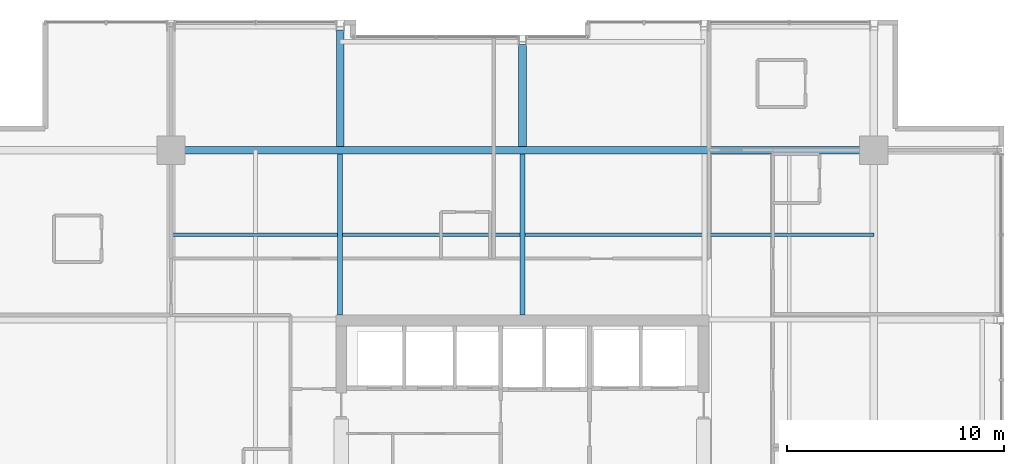
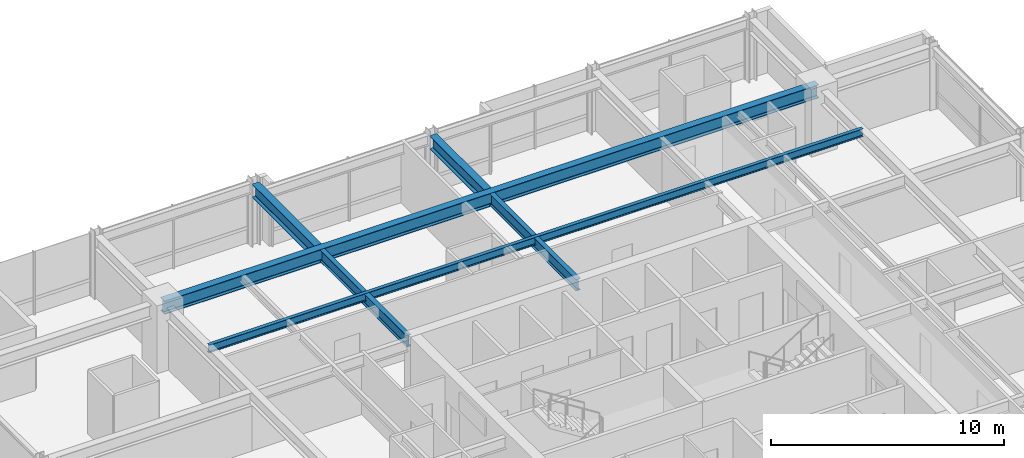
# One storey, part 19 of 32: 6 beams.
"""IFC4 building model written with IfcOpenShell, lengths in metres."""

from ifc_helpers import new_model, si_unit, direction, frame, origin, origin_2d, place, context, subcontext, project, spatial, i_section, extrude, material, material_profile, profile_set, type_object, element, save


model = new_model("IFC4")

# Units and contexts
model_context = context("Model", 3, precision=1e-05, world=origin(), true_north=direction((0.0, 1.0)))
body_context = subcontext(model_context, "Body", "Model", "MODEL_VIEW")
ifc_project = project(units=[si_unit("LENGTHUNIT", "METRE"), si_unit("AREAUNIT", "SQUARE_METRE"), si_unit("VOLUMEUNIT", "CUBIC_METRE"), si_unit("PLANEANGLEUNIT", "RADIAN"), si_unit("MASSUNIT", "GRAM", prefix="KILO")], contexts=[model_context])

# Site, building, storey
site_placement = place(None, origin())
site = spatial("IfcSite", under=ifc_project, at=site_placement, CompositionType="ELEMENT")
building_placement = place(site_placement, origin())
building = spatial("IfcBuilding", under=site, at=building_placement, Name="Drelvath Grand Hotel", CompositionType="ELEMENT")
storey_placement = place(building_placement, frame((0.0, 0.0, 193.0)))
storey = spatial("IfcBuildingStorey", under=building, at=storey_placement, Name="L50", CompositionType="ELEMENT", Elevation=193.0)

# Beams
ifc_material = material(Name="Steel ASTM A992 Gr 50", Category="steel")
ifc_material_profile_1 = material_profile(ifc_material, i_section(OverallWidth=0.177734375, OverallDepth=0.40673828125, WebThickness=0.0078125, FlangeThickness=0.0126953125, FilletRadius=0.014892578125, at=origin_2d()), Name="W16X40")
ifc_profile_set_1 = profile_set([ifc_material_profile_1], Name="Steel ASTM A992 Gr 50")
beam_type_1 = type_object("IfcBeamType", Name="Composite Floor Joist W16X40", PredefinedType="JOIST", material=ifc_profile_set_1)
beam_1_placement = place(storey_placement, frame((-16.199951171875, 39.300048828125, 3.086669921875), z_axis=(1.0, 0.0, 0.0), x_axis=(0.0, 1.0, 0.0)))
element("IfcBeam", 1, at=beam_1_placement, inside=storey, type_object=beam_type_1, Name="L50 Floor Joist J2", PredefinedType="JOIST", context=body_context, shape_type="SweptSolid", body=[
    extrude(i_section(OverallWidth=0.177734375, OverallDepth=0.40673828125, WebThickness=0.0078125, FlangeThickness=0.0126953125, FilletRadius=0.014892578125, at=origin_2d()), origin(), (0.0, 0.0, 1.0), 32.39990234375),
])
ifc_material_profile_2 = material_profile(ifc_material, i_section(OverallWidth=0.228271484375, OverallDepth=0.607666015625, WebThickness=0.01123046875, FlangeThickness=0.017333984375, FilletRadius=0.02001953125, at=origin_2d()), Name="W24X76")
ifc_profile_set_2 = profile_set([ifc_material_profile_2], Name="Steel ASTM A992 Gr 50")
beam_type_2 = type_object("IfcBeamType", Name="Primary Floor Girder W24X76", PredefinedType="BEAM", material=ifc_profile_set_2)
for number, where, z_axis, x_axis, name in (
    (2, (-8.39990234375, 35.60009765625, 2.986083984375), (0.0, 1.0, 0.0), (-1.0, 0.0, 0.0), "L50 North Core Tie 4"),
    (3, (0.0, 35.60009765625, 2.986083984375), (0.0, 1.0, 0.0), (-1.0, 0.0, 0.0), "L50 North Core Tie 5"),
):
    element("IfcBeam", number, at=place(storey_placement, frame(where, z_axis=z_axis, x_axis=x_axis)), inside=storey, type_object=beam_type_2, Name=name, PredefinedType="BEAM", context=body_context, shape_type="SweptSolid", body=[
        extrude(i_section(OverallWidth=0.228271484375, OverallDepth=0.607666015625, WebThickness=0.01123046875, FlangeThickness=0.017333984375, FilletRadius=0.02001953125, at=origin_2d()), origin(), (0.0, 0.0, 1.0), 7.422607421875),
    ])
ifc_material_profile_3 = material_profile(ifc_material, i_section(OverallWidth=0.354736328125, OverallDepth=0.695556640625, WebThickness=0.015380859375, FlangeThickness=0.025146484375, FilletRadius=0.02392578125, at=origin_2d()), Name="W27X146")
ifc_profile_set_3 = profile_set([ifc_material_profile_3], Name="Steel ASTM A992 Gr 50")
beam_type_3 = type_object("IfcBeamType", Name="Primary Floor Girder W27X146", PredefinedType="BEAM", material=ifc_profile_set_3)
beam_2_placement = place(storey_placement, frame((-16.199951171875, 43.199951171875, 2.9423828125), z_axis=(1.0, 0.0, 0.0), x_axis=(0.0, 1.0, 0.0)))
element("IfcBeam", 4, at=beam_2_placement, inside=storey, type_object=beam_type_3, Name="L50 Mega Ring Girder North", PredefinedType="BEAM", context=body_context, shape_type="SweptSolid", body=[
    extrude(i_section(OverallWidth=0.354736328125, OverallDepth=0.695556640625, WebThickness=0.015380859375, FlangeThickness=0.025146484375, FilletRadius=0.02392578125, at=origin_2d()), origin(), (0.0, 0.0, 1.0), 32.39990234375),
])
beam_3_placement = place(storey_placement, frame((-8.39990234375, 43.37744140625, 2.9423828125), z_axis=(0.0, 1.0, 0.0), x_axis=(-1.0, 0.0, 0.0)))
element("IfcBeam", 5, at=beam_3_placement, inside=storey, type_object=beam_type_3, Name="L50 North Wing Girder 4", PredefinedType="BEAM", context=body_context, shape_type="SweptSolid", body=[
    extrude(i_section(OverallWidth=0.354736328125, OverallDepth=0.695556640625, WebThickness=0.015380859375, FlangeThickness=0.025146484375, FilletRadius=0.02392578125, at=origin_2d()), origin(), (0.0, 0.0, 1.0), 5.362548828125),
])
beam_4_placement = place(storey_placement, frame((0.0, 43.37744140625, 2.9423828125), z_axis=(0.0, 1.0, 0.0), x_axis=(-1.0, 0.0, 0.0)))
element("IfcBeam", 6, at=beam_4_placement, inside=storey, type_object=beam_type_3, Name="L50 North Wing Girder 5", PredefinedType="BEAM", context=body_context, shape_type="SweptSolid", body=[
    extrude(i_section(OverallWidth=0.354736328125, OverallDepth=0.695556640625, WebThickness=0.015380859375, FlangeThickness=0.025146484375, FilletRadius=0.02392578125, at=origin_2d()), origin(), (0.0, 0.0, 1.0), 4.6826171875),
])

save(model, "model.ifc")
